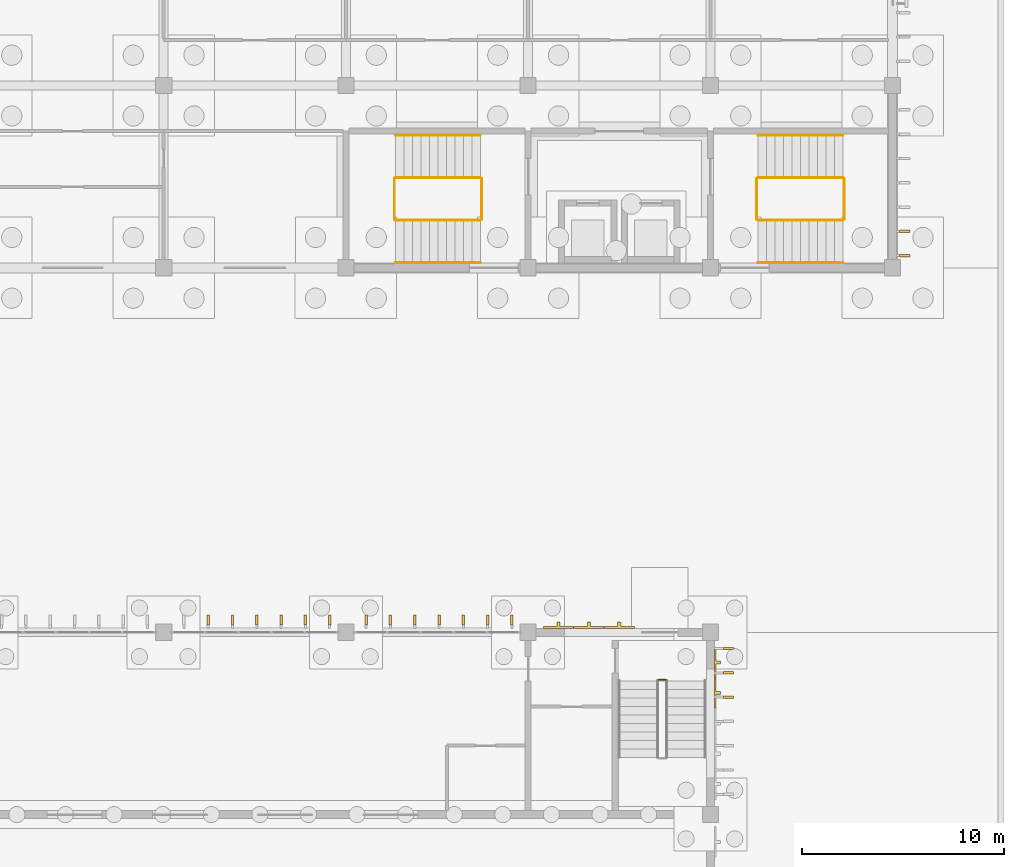
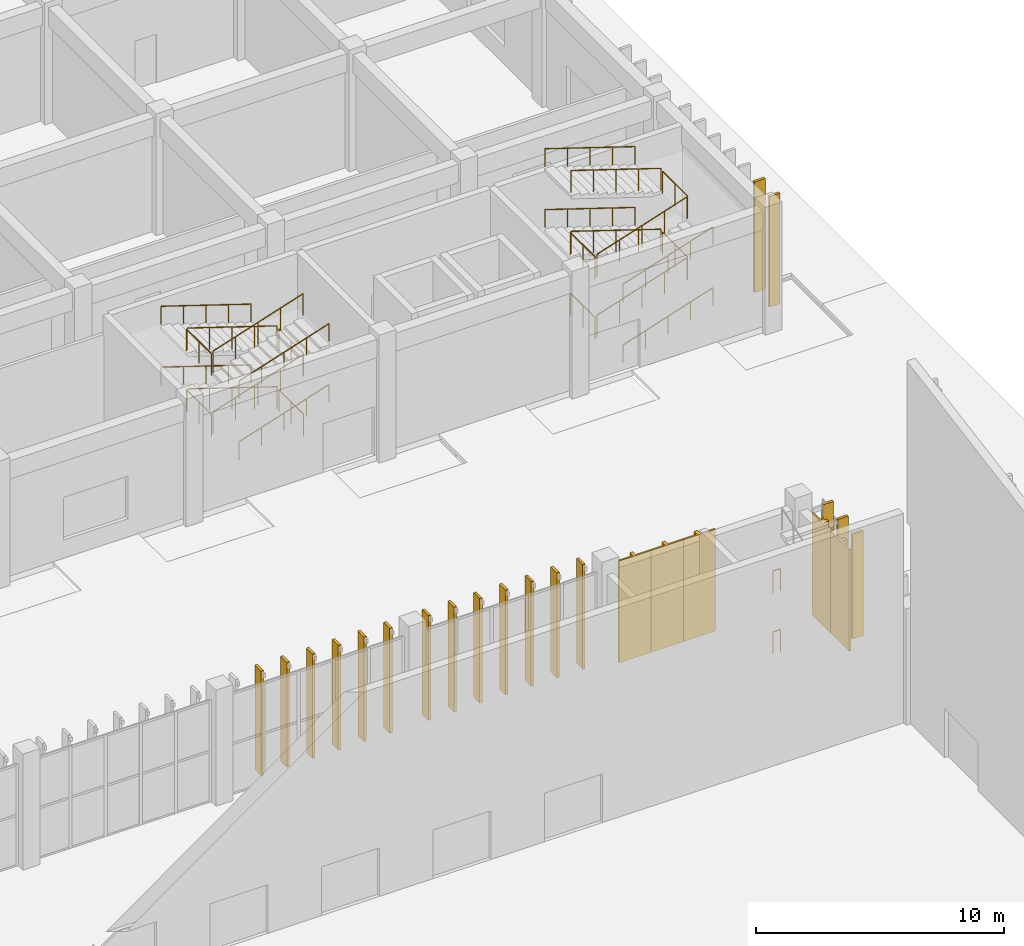
# One storey, part 188 of 198: 26 railings, 23 coverings.
"""IFC4 building model written with IfcOpenShell, lengths in metres."""

import ifcopenshell
import ifcopenshell.guid

model = None  # the IFC model being written
_history = None  # IfcOwnerHistory: only IFC2X3 demands one
_inside = {}  # id of a spatial element -> (the spatial element, [elements in it])
_under = {}  # id of a project, library or spatial element -> (it, [spatial elements below it])
_declared = {}  # id of a project -> (the project, [libraries it declares])
_typed = {}  # id of a type object -> (the type object, [elements of that type])
_made_of = {}  # id of a material, layer set ... -> (it, [elements and type objects made of it])


def new_model(schema):
    """Start an empty IFC model of exactly this schema.

    Asked for "IFC4X3", IfcOpenShell would pick the latest addendum, in which some entities
    have other attributes; the version numbers below select the first issue.
    IFC2X3 requires an IfcOwnerHistory on every rooted entity: one is made here for all.
    """
    global model, _history
    if schema == "IFC4X3":
        model = ifcopenshell.file(schema_version=(4, 3, 0, 0))
    else:
        model = ifcopenshell.file(schema=schema)
    _inside.clear()
    _under.clear()
    _declared.clear()
    _typed.clear()
    _made_of.clear()
    _history = None
    if model.schema == "IFC2X3":
        org = make("IfcOrganization", Name="unknown")
        user = make(
            "IfcPersonAndOrganization",
            ThePerson=make("IfcPerson", FamilyName="unknown"),
            TheOrganization=org,
        )
        app = make(
            "IfcApplication",
            ApplicationDeveloper=org,
            Version="unknown",
            ApplicationFullName="unknown",
            ApplicationIdentifier="unknown",
        )
        _history = make(
            "IfcOwnerHistory",
            OwningUser=user,
            OwningApplication=app,
            ChangeAction="ADDED",
            CreationDate=0,
        )
    return model


def make(cls, **values):
    """One entity of the class cls with the attributes given. An attribute that is None is left unset."""
    return model.create_entity(
        cls, **{name: value for name, value in values.items() if value is not None}
    )


def rooted(cls, **values):
    """An entity with a GlobalId (a new one), such as an element, a storey or a relation."""
    return make(cls, GlobalId=ifcopenshell.guid.new(), OwnerHistory=_history, **values)


def si_unit(unit_type, name, prefix=None):
    """IfcSIUnit, for example si_unit("LENGTHUNIT", "METRE", prefix="MILLI")."""
    return make("IfcSIUnit", UnitType=unit_type, Prefix=prefix, Name=name)


def assignment(units):
    """IfcUnitAssignment: the units of a project."""
    return None if units is None else make("IfcUnitAssignment", Units=units)


def point(xyz):
    """IfcCartesianPoint."""
    return None if xyz is None else make("IfcCartesianPoint", Coordinates=xyz)


def direction(xyz):
    """IfcDirection."""
    return None if xyz is None else make("IfcDirection", DirectionRatios=xyz)


def frame(location, z_axis=None, x_axis=None):
    """IfcAxis2Placement3D, a coordinate frame: its origin and axes. An axis left out is left unset."""
    return make(
        "IfcAxis2Placement3D",
        Location=point(location),
        Axis=direction(z_axis),
        RefDirection=direction(x_axis),
    )


def frame_2d(location, x_axis=None):
    """IfcAxis2Placement2D, a coordinate frame in the plane: its origin and x axis."""
    return make(
        "IfcAxis2Placement2D", Location=point(location), RefDirection=direction(x_axis)
    )


def origin():
    """The frame at (0, 0, 0) with its axes left unset."""
    return frame((0.0, 0.0, 0.0))


def origin_2d():
    """The frame at (0, 0) in the plane with its x axis left unset."""
    return frame_2d((0.0, 0.0))


def place(relative_to, where):
    """IfcLocalPlacement: puts the frame where relative to a parent placement (None: the world)."""
    return make(
        "IfcLocalPlacement", PlacementRelTo=relative_to, RelativePlacement=where
    )


def context(
    kind, dimensions, precision=None, world=None, true_north=None, identifier=None
):
    """IfcGeometricRepresentationContext, for example the 3D "Model" context."""
    return make(
        "IfcGeometricRepresentationContext",
        ContextIdentifier=identifier,
        ContextType=kind,
        CoordinateSpaceDimension=dimensions,
        Precision=precision,
        WorldCoordinateSystem=world,
        TrueNorth=true_north,
    )


def subcontext(parent, identifier, kind, view, scale=None):
    """IfcGeometricRepresentationSubContext, for example "Body" below "Model"."""
    return make(
        "IfcGeometricRepresentationSubContext",
        ContextIdentifier=identifier,
        ContextType=kind,
        ParentContext=parent,
        TargetScale=scale,
        TargetView=view,
    )


def project(units=None, contexts=None):
    """IfcProject with its units and contexts."""
    return rooted(
        "IfcProject",
        Name="project",
        RepresentationContexts=contexts,
        UnitsInContext=assignment(units),
    )


def spatial(cls, under=None, at=None, **own):
    """A site, building, storey or space (cls), placed at a placement, below another one or the project."""
    s = rooted(cls, ObjectPlacement=at, **own)
    if under is not None:
        _under.setdefault(under.id(), (under, []))[1].append(s)
    return s


def polyline(points):
    """IfcPolyline through the points."""
    return make("IfcPolyline", Points=[point(p) for p in points])


def profile(cls, at=None, kind="AREA", **sizes):
    """A parametric profile (cls). Its sizes go by their IFC names, for example OverallWidth=200.0."""
    return make(cls, ProfileType=kind, Position=at, **sizes)


def rectangle(**sizes):
    """IfcRectangleProfileDef."""
    return profile("IfcRectangleProfileDef", **sizes)


def circle(**sizes):
    """IfcCircleProfileDef."""
    return profile("IfcCircleProfileDef", **sizes)


def outline(outer, holes=None, kind="AREA"):
    """IfcArbitraryClosedProfileDef: a profile drawn as a closed curve; with holes, ...WithVoids."""
    if holes is None:
        return make("IfcArbitraryClosedProfileDef", ProfileType=kind, OuterCurve=outer)
    return make(
        "IfcArbitraryProfileDefWithVoids",
        ProfileType=kind,
        OuterCurve=outer,
        InnerCurves=holes,
    )


def extrude(swept, where, along, depth):
    """IfcExtrudedAreaSolid: the profile swept, set in the frame where, extruded along a direction by depth."""
    return make(
        "IfcExtrudedAreaSolid",
        SweptArea=swept,
        Position=where,
        ExtrudedDirection=direction(along),
        Depth=depth,
    )


def shape(context_of_items, identifier, shape_type, items):
    """IfcShapeRepresentation: the items that make up one representation, for example the "Body"."""
    return make(
        "IfcShapeRepresentation",
        ContextOfItems=context_of_items,
        RepresentationIdentifier=identifier,
        RepresentationType=shape_type,
        Items=items,
    )


def material(Name=None, Category=None):
    """IfcMaterial."""
    return make("IfcMaterial", Name=Name, Category=Category)


def layer(
    of_material, thickness, ventilated=None, Name=None, Category=None, Priority=None
):
    """IfcMaterialLayer: one layer of a wall or slab, of a material (None: an air gap)."""
    return make(
        "IfcMaterialLayer",
        Material=of_material,
        LayerThickness=thickness,
        IsVentilated=ventilated,
        Name=Name,
        Category=Category,
        Priority=Priority,
    )


def layer_set(layers, Name=None):
    """IfcMaterialLayerSet."""
    return make("IfcMaterialLayerSet", MaterialLayers=layers, LayerSetName=Name)


def constituent(of_material, Name=None, Category=None, fraction=None):
    """IfcMaterialConstituent: one of the materials an element consists of."""
    return make(
        "IfcMaterialConstituent",
        Name=Name,
        Material=of_material,
        Fraction=fraction,
        Category=Category,
    )


def constituent_set(constituents=None, Name=None):
    """IfcMaterialConstituentSet."""
    return make(
        "IfcMaterialConstituentSet", Name=Name, MaterialConstituents=constituents
    )


def made_of(thing, what):
    """Note that an element or type object is made of a material, layer set ...; save() writes the relation."""
    if what is not None:
        _made_of.setdefault(what.id(), (what, []))[1].append(thing)
    return thing


def type_object(cls, material=None, **own):
    """A type object (cls), such as IfcWallType, which elements share."""
    return made_of(rooted(cls, **own), material)


def element(
    cls,
    number,
    at=None,
    inside=None,
    cuts=None,
    type_object=None,
    material=None,
    context=None,
    identifier="Body",
    shape_type=None,
    held_by="IfcProductDefinitionShape",
    body=None,
    shapes=None,
    **own,
):
    """One element of the class cls, such as IfcWall. Its Tag is "e" and its number.

    at: its placement. inside: the storey or other place that contains it. cuts: it is an
    opening in that element (IfcRelVoidsElement). A single representation is given by context,
    identifier, shape_type and body (its items); several are given by shapes. held_by: the class
    of the entity that holds the representations. save() writes the other relations.
    """
    e = rooted(cls, Tag="e%d" % number, ObjectPlacement=at, **own)
    if body is not None:
        shapes = [shape(context, identifier, shape_type, body)]
    if shapes is not None:
        e.Representation = make(held_by, Representations=shapes)
    if inside is not None:
        _inside.setdefault(inside.id(), (inside, []))[1].append(e)
    if cuts is not None:
        rooted(
            "IfcRelVoidsElement", RelatingBuildingElement=cuts, RelatedOpeningElement=e
        )
    if type_object is not None:
        _typed.setdefault(type_object.id(), (type_object, []))[1].append(e)
    return made_of(e, material)


def aggregate(whole, parts):
    """IfcRelAggregates: a whole, such as a stair, and the parts it consists of."""
    return rooted("IfcRelAggregates", RelatingObject=whole, RelatedObjects=parts)


def save(model, path):
    """Write the relations noted so far, then the file.

    IfcRelAggregates (storeys below a building ...), IfcRelContainedInSpatialStructure (elements
    in a storey), IfcRelDefinesByType, IfcRelAssociatesMaterial and IfcRelDeclares: one each for
    every whole, place, type object, material and project.
    """
    for whole, parts in _under.values():
        aggregate(whole, parts)
    for where, things in _inside.values():
        rooted(
            "IfcRelContainedInSpatialStructure",
            RelatedElements=things,
            RelatingStructure=where,
        )
    for kind, things in _typed.values():
        rooted("IfcRelDefinesByType", RelatedObjects=things, RelatingType=kind)
    for what, things in _made_of.values():
        rooted("IfcRelAssociatesMaterial", RelatedObjects=things, RelatingMaterial=what)
    for by, libraries in _declared.values():
        rooted("IfcRelDeclares", RelatingContext=by, RelatedDefinitions=libraries)
    model.write(path)


model = new_model("IFC4")

# Units and contexts
model_context = context("Model", 3, precision=1e-05, world=origin(), true_north=direction((0.0, 1.0)))
body_context = subcontext(model_context, "Body", "Model", "MODEL_VIEW")
ifc_project = project(units=[si_unit("LENGTHUNIT", "METRE"), si_unit("AREAUNIT", "SQUARE_METRE"), si_unit("VOLUMEUNIT", "CUBIC_METRE"), si_unit("PLANEANGLEUNIT", "RADIAN"), si_unit("MASSUNIT", "GRAM", prefix="KILO")], contexts=[model_context])

# Site, building, storey
site_placement = place(None, origin())
site = spatial("IfcSite", under=ifc_project, at=site_placement, CompositionType="ELEMENT")
building_placement = place(site_placement, origin())
building = spatial("IfcBuilding", under=site, at=building_placement, Name="Opaline Strait Convention Centre", CompositionType="ELEMENT")
storey_placement = place(building_placement, origin())
storey = spatial("IfcBuildingStorey", under=building, at=storey_placement, Name="L00", CompositionType="ELEMENT", Elevation=0.0)

# Railings
ifc_material_1 = material(Name="Steel Q235B", Category="steel")
ifc_constituent_1 = constituent(ifc_material_1, Name="Frame")
ifc_material_2 = material(Name="Safety glass, bonded interlayer", Category="glass")
ifc_constituent_2 = constituent(ifc_material_2, Name="Infill")
ifc_constituent_set = constituent_set(constituents=[ifc_constituent_1, ifc_constituent_2], Name="Steel Q235B, Safety glass, bonded interlayer")
railing_type_1 = type_object("IfcRailingType", Name="Guard 1100 steel and glass", PredefinedType="GUARDRAIL", material=ifc_constituent_set)
for number, where, name in (
    (1, (348.449951171875, 69.64990234375, 3.0), "L00 B-STNE stair guard 4"),
    (2, (348.449951171875, 69.64990234375, 0.0), "L00 B-STNE stair guard 8"),
):
    element("IfcRailing", number, at=place(storey_placement, frame(where)), inside=storey, type_object=railing_type_1, Name=name, PredefinedType="GUARDRAIL", context=body_context, shape_type="SweptSolid", body=[
        extrude(circle(Radius=0.02392578125, at=origin_2d()), frame((0.0, 0.0, 1.076171875), z_axis=(1.0, 0.0, 0.0), x_axis=(0.0, 1.0, 0.0)), (0.0, 0.0, 1.0), 0.35009765625),
        extrude(circle(Radius=0.02099609375, at=origin_2d()), origin(), (0.0, 0.0, 1.0), 1.052001953125),
        extrude(circle(Radius=0.02099609375, at=origin_2d()), frame((0.35009765625, 0.0, 0.0)), (0.0, 0.0, 1.0), 1.052001953125),
    ])
railing_1_placement = place(storey_placement, frame((353.349853515625, 92.349853515625, 0.136474609375)))
element("IfcRailing", 3, at=railing_1_placement, inside=storey, type_object=railing_type_1, Name="L00 S3 stair guard 1", PredefinedType="GUARDRAIL", context=body_context, shape_type="SweptSolid", body=[
    extrude(circle(Radius=0.02392578125, at=origin_2d()), frame((0.0, 0.0, 1.076171875), z_axis=(0.951131128591, 0.0, 0.308787266941), x_axis=(0.0, 1.0, 0.0)), (0.0, 0.0, 1.0), 4.415771484375),
    extrude(circle(Radius=0.02099609375, at=origin_2d()), origin(), (0.0, 0.0, 1.0), 1.052001953125),
    extrude(circle(Radius=0.02099609375, at=origin_2d()), frame((1.050048828125, 0.0, 0.3408203125)), (0.0, 0.0, 1.0), 1.052001953125),
    extrude(circle(Radius=0.02099609375, at=origin_2d()), frame((2.10009765625, 0.0, 0.681640625)), (0.0, 0.0, 1.0), 1.052001953125),
    extrude(circle(Radius=0.02099609375, at=origin_2d()), frame((3.14990234375, 0.0, 1.022705078125)), (0.0, 0.0, 1.0), 1.052001953125),
    extrude(circle(Radius=0.02099609375, at=origin_2d()), frame((4.199951171875, 0.0, 1.363525390625)), (0.0, 0.0, 1.0), 1.052001953125),
])
railing_2_placement = place(storey_placement, frame((357.599853515625, 92.39990234375, 1.5)))
element("IfcRailing", 4, at=railing_2_placement, inside=storey, type_object=railing_type_1, Name="L00 S3 stair guard 2", PredefinedType="GUARDRAIL", context=body_context, shape_type="SweptSolid", body=[
    extrude(circle(Radius=0.02392578125, at=origin_2d()), frame((0.0, 0.0, 1.076171875), z_axis=(0.0, 1.0, 0.0), x_axis=(-1.0, 0.0, 0.0)), (0.0, 0.0, 1.0), 2.0),
    extrude(circle(Radius=0.02099609375, at=origin_2d()), origin(), (0.0, 0.0, 1.0), 1.052001953125),
    extrude(circle(Radius=0.02099609375, at=origin_2d()), frame((0.0, 1.0, 0.0)), (0.0, 0.0, 1.0), 1.052001953125),
    extrude(circle(Radius=0.02099609375, at=origin_2d()), frame((0.0, 2.0, 0.0)), (0.0, 0.0, 1.0), 1.052001953125),
])
railing_3_placement = place(storey_placement, frame((357.5498046875, 94.449951171875, 1.636474609375)))
element("IfcRailing", 5, at=railing_3_placement, inside=storey, type_object=railing_type_1, Name="L00 S3 stair guard 3", PredefinedType="GUARDRAIL", context=body_context, shape_type="SweptSolid", body=[
    extrude(circle(Radius=0.02392578125, at=origin_2d()), frame((0.0, 0.0, 1.076171875), z_axis=(-0.951131128591, 0.0, 0.308787266941), x_axis=(0.0, -1.0, 0.0)), (0.0, 0.0, 1.0), 4.415771484375),
    extrude(circle(Radius=0.02099609375, at=origin_2d()), origin(), (0.0, 0.0, 1.0), 1.052001953125),
    extrude(circle(Radius=0.02099609375, at=origin_2d()), frame((-1.050048828125, 0.0, 0.3408203125)), (0.0, 0.0, 1.0), 1.052001953125),
    extrude(circle(Radius=0.02099609375, at=origin_2d()), frame((-2.10009765625, 0.0, 0.681640625)), (0.0, 0.0, 1.0), 1.052001953125),
    extrude(circle(Radius=0.02099609375, at=origin_2d()), frame((-3.14990234375, 0.0, 1.022705078125)), (0.0, 0.0, 1.0), 1.052001953125),
    extrude(circle(Radius=0.02099609375, at=origin_2d()), frame((-4.199951171875, 0.0, 1.363525390625)), (0.0, 0.0, 1.0), 1.052001953125),
])
railing_4_placement = place(storey_placement, frame((353.2998046875, 92.39990234375, 3.0)))
element("IfcRailing", 6, at=railing_4_placement, inside=storey, type_object=railing_type_1, Name="L00 S3 stair guard 4", PredefinedType="GUARDRAIL", context=body_context, shape_type="SweptSolid", body=[
    extrude(circle(Radius=0.02392578125, at=origin_2d()), frame((0.0, 0.0, 1.076171875), z_axis=(0.0, 1.0, 0.0), x_axis=(-1.0, 0.0, 0.0)), (0.0, 0.0, 1.0), 2.0),
    extrude(circle(Radius=0.02099609375, at=origin_2d()), origin(), (0.0, 0.0, 1.0), 1.052001953125),
    extrude(circle(Radius=0.02099609375, at=origin_2d()), frame((0.0, 1.0, 0.0)), (0.0, 0.0, 1.0), 1.052001953125),
    extrude(circle(Radius=0.02099609375, at=origin_2d()), frame((0.0, 2.0, 0.0)), (0.0, 0.0, 1.0), 1.052001953125),
])
railing_5_placement = place(storey_placement, frame((353.349853515625, 92.349853515625, 3.136474609375)))
element("IfcRailing", 7, at=railing_5_placement, inside=storey, type_object=railing_type_1, Name="L00 S3 stair guard 5", PredefinedType="GUARDRAIL", context=body_context, shape_type="SweptSolid", body=[
    extrude(circle(Radius=0.02392578125, at=origin_2d()), frame((0.0, 0.0, 1.076171875), z_axis=(0.951131128591, 0.0, 0.308787266941), x_axis=(0.0, 1.0, 0.0)), (0.0, 0.0, 1.0), 4.415771484375),
    extrude(circle(Radius=0.02099609375, at=origin_2d()), origin(), (0.0, 0.0, 1.0), 1.052001953125),
    extrude(circle(Radius=0.02099609375, at=origin_2d()), frame((1.050048828125, 0.0, 0.3408203125)), (0.0, 0.0, 1.0), 1.052001953125),
    extrude(circle(Radius=0.02099609375, at=origin_2d()), frame((2.10009765625, 0.0, 0.681640625)), (0.0, 0.0, 1.0), 1.052001953125),
    extrude(circle(Radius=0.02099609375, at=origin_2d()), frame((3.14990234375, 0.0, 1.022705078125)), (0.0, 0.0, 1.0), 1.052001953125),
    extrude(circle(Radius=0.02099609375, at=origin_2d()), frame((4.199951171875, 0.0, 1.363525390625)), (0.0, 0.0, 1.0), 1.052001953125),
])
railing_6_placement = place(storey_placement, frame((357.599853515625, 92.39990234375, 4.5)))
element("IfcRailing", 8, at=railing_6_placement, inside=storey, type_object=railing_type_1, Name="L00 S3 stair guard 6", PredefinedType="GUARDRAIL", context=body_context, shape_type="SweptSolid", body=[
    extrude(circle(Radius=0.02392578125, at=origin_2d()), frame((0.0, 0.0, 1.076171875), z_axis=(0.0, 1.0, 0.0), x_axis=(-1.0, 0.0, 0.0)), (0.0, 0.0, 1.0), 2.0),
    extrude(circle(Radius=0.02099609375, at=origin_2d()), origin(), (0.0, 0.0, 1.0), 1.052001953125),
    extrude(circle(Radius=0.02099609375, at=origin_2d()), frame((0.0, 1.0, 0.0)), (0.0, 0.0, 1.0), 1.052001953125),
    extrude(circle(Radius=0.02099609375, at=origin_2d()), frame((0.0, 2.0, 0.0)), (0.0, 0.0, 1.0), 1.052001953125),
])
railing_7_placement = place(storey_placement, frame((357.5498046875, 94.449951171875, 4.636474609375)))
element("IfcRailing", 9, at=railing_7_placement, inside=storey, type_object=railing_type_1, Name="L00 S3 stair guard 7", PredefinedType="GUARDRAIL", context=body_context, shape_type="SweptSolid", body=[
    extrude(circle(Radius=0.02392578125, at=origin_2d()), frame((0.0, 0.0, 1.076171875), z_axis=(-0.951131128591, 0.0, 0.308787266941), x_axis=(0.0, -1.0, 0.0)), (0.0, 0.0, 1.0), 4.415771484375),
    extrude(circle(Radius=0.02099609375, at=origin_2d()), origin(), (0.0, 0.0, 1.0), 1.052001953125),
    extrude(circle(Radius=0.02099609375, at=origin_2d()), frame((-1.050048828125, 0.0, 0.3408203125)), (0.0, 0.0, 1.0), 1.052001953125),
    extrude(circle(Radius=0.02099609375, at=origin_2d()), frame((-2.10009765625, 0.0, 0.681640625)), (0.0, 0.0, 1.0), 1.052001953125),
    extrude(circle(Radius=0.02099609375, at=origin_2d()), frame((-3.14990234375, 0.0, 1.022705078125)), (0.0, 0.0, 1.0), 1.052001953125),
    extrude(circle(Radius=0.02099609375, at=origin_2d()), frame((-4.199951171875, 0.0, 1.363525390625)), (0.0, 0.0, 1.0), 1.052001953125),
])
railing_8_placement = place(storey_placement, frame((353.2998046875, 92.39990234375, 0.0)))
element("IfcRailing", 10, at=railing_8_placement, inside=storey, type_object=railing_type_1, Name="L00 S3 stair guard 8", PredefinedType="GUARDRAIL", context=body_context, shape_type="SweptSolid", body=[
    extrude(circle(Radius=0.02392578125, at=origin_2d()), frame((0.0, 0.0, 1.076171875), z_axis=(0.0, 1.0, 0.0), x_axis=(-1.0, 0.0, 0.0)), (0.0, 0.0, 1.0), 2.0),
    extrude(circle(Radius=0.02099609375, at=origin_2d()), origin(), (0.0, 0.0, 1.0), 1.052001953125),
    extrude(circle(Radius=0.02099609375, at=origin_2d()), frame((0.0, 1.0, 0.0)), (0.0, 0.0, 1.0), 1.052001953125),
    extrude(circle(Radius=0.02099609375, at=origin_2d()), frame((0.0, 2.0, 0.0)), (0.0, 0.0, 1.0), 1.052001953125),
])
railing_9_placement = place(storey_placement, frame((339.650146484375, 94.4501953125, 0.136474609375)))
element("IfcRailing", 11, at=railing_9_placement, inside=storey, type_object=railing_type_1, Name="L00 S4 stair guard 1", PredefinedType="GUARDRAIL", context=body_context, shape_type="SweptSolid", body=[
    extrude(circle(Radius=0.02392578125, at=origin_2d()), frame((0.0, 0.0, 1.076171875), z_axis=(-0.951131128591, 0.0, 0.308787266941), x_axis=(0.0, -1.0, 0.0)), (0.0, 0.0, 1.0), 4.415771484375),
    extrude(circle(Radius=0.02099609375, at=origin_2d()), origin(), (0.0, 0.0, 1.0), 1.052001953125),
    extrude(circle(Radius=0.02099609375, at=origin_2d()), frame((-1.050048828125, 0.0, 0.3408203125)), (0.0, 0.0, 1.0), 1.052001953125),
    extrude(circle(Radius=0.02099609375, at=origin_2d()), frame((-2.10009765625, 0.0, 0.681640625)), (0.0, 0.0, 1.0), 1.052001953125),
    extrude(circle(Radius=0.02099609375, at=origin_2d()), frame((-3.14990234375, 0.0, 1.022705078125)), (0.0, 0.0, 1.0), 1.052001953125),
    extrude(circle(Radius=0.02099609375, at=origin_2d()), frame((-4.199951171875, 0.0, 1.363525390625)), (0.0, 0.0, 1.0), 1.052001953125),
])
railing_10_placement = place(storey_placement, frame((335.400146484375, 94.400146484375, 1.5)))
element("IfcRailing", 12, at=railing_10_placement, inside=storey, type_object=railing_type_1, Name="L00 S4 stair guard 2", PredefinedType="GUARDRAIL", context=body_context, shape_type="SweptSolid", body=[
    extrude(circle(Radius=0.02392578125, at=origin_2d()), frame((0.0, 0.0, 1.076171875), z_axis=(0.0, -1.0, 0.0), x_axis=(1.0, 0.0, 0.0)), (0.0, 0.0, 1.0), 2.0),
    extrude(circle(Radius=0.02099609375, at=origin_2d()), origin(), (0.0, 0.0, 1.0), 1.052001953125),
    extrude(circle(Radius=0.02099609375, at=origin_2d()), frame((0.0, -1.0, 0.0)), (0.0, 0.0, 1.0), 1.052001953125),
    extrude(circle(Radius=0.02099609375, at=origin_2d()), frame((0.0, -2.0, 0.0)), (0.0, 0.0, 1.0), 1.052001953125),
])
railing_11_placement = place(storey_placement, frame((335.4501953125, 92.35009765625, 1.636474609375)))
element("IfcRailing", 13, at=railing_11_placement, inside=storey, type_object=railing_type_1, Name="L00 S4 stair guard 3", PredefinedType="GUARDRAIL", context=body_context, shape_type="SweptSolid", body=[
    extrude(circle(Radius=0.02392578125, at=origin_2d()), frame((0.0, 0.0, 1.076171875), z_axis=(0.951131128591, 0.0, 0.308787266941), x_axis=(0.0, 1.0, 0.0)), (0.0, 0.0, 1.0), 4.415771484375),
    extrude(circle(Radius=0.02099609375, at=origin_2d()), origin(), (0.0, 0.0, 1.0), 1.052001953125),
    extrude(circle(Radius=0.02099609375, at=origin_2d()), frame((1.050048828125, 0.0, 0.3408203125)), (0.0, 0.0, 1.0), 1.052001953125),
    extrude(circle(Radius=0.02099609375, at=origin_2d()), frame((2.10009765625, 0.0, 0.681640625)), (0.0, 0.0, 1.0), 1.052001953125),
    extrude(circle(Radius=0.02099609375, at=origin_2d()), frame((3.14990234375, 0.0, 1.022705078125)), (0.0, 0.0, 1.0), 1.052001953125),
    extrude(circle(Radius=0.02099609375, at=origin_2d()), frame((4.199951171875, 0.0, 1.363525390625)), (0.0, 0.0, 1.0), 1.052001953125),
])
railing_12_placement = place(storey_placement, frame((339.7001953125, 94.400146484375, 3.0)))
element("IfcRailing", 14, at=railing_12_placement, inside=storey, type_object=railing_type_1, Name="L00 S4 stair guard 4", PredefinedType="GUARDRAIL", context=body_context, shape_type="SweptSolid", body=[
    extrude(circle(Radius=0.02392578125, at=origin_2d()), frame((0.0, 0.0, 1.076171875), z_axis=(0.0, -1.0, 0.0), x_axis=(1.0, 0.0, 0.0)), (0.0, 0.0, 1.0), 2.0),
    extrude(circle(Radius=0.02099609375, at=origin_2d()), origin(), (0.0, 0.0, 1.0), 1.052001953125),
    extrude(circle(Radius=0.02099609375, at=origin_2d()), frame((0.0, -1.0, 0.0)), (0.0, 0.0, 1.0), 1.052001953125),
    extrude(circle(Radius=0.02099609375, at=origin_2d()), frame((0.0, -2.0, 0.0)), (0.0, 0.0, 1.0), 1.052001953125),
])
railing_13_placement = place(storey_placement, frame((339.650146484375, 94.4501953125, 3.136474609375)))
element("IfcRailing", 15, at=railing_13_placement, inside=storey, type_object=railing_type_1, Name="L00 S4 stair guard 5", PredefinedType="GUARDRAIL", context=body_context, shape_type="SweptSolid", body=[
    extrude(circle(Radius=0.02392578125, at=origin_2d()), frame((0.0, 0.0, 1.076171875), z_axis=(-0.951131128591, 0.0, 0.308787266941), x_axis=(0.0, -1.0, 0.0)), (0.0, 0.0, 1.0), 4.415771484375),
    extrude(circle(Radius=0.02099609375, at=origin_2d()), origin(), (0.0, 0.0, 1.0), 1.052001953125),
    extrude(circle(Radius=0.02099609375, at=origin_2d()), frame((-1.050048828125, 0.0, 0.3408203125)), (0.0, 0.0, 1.0), 1.052001953125),
    extrude(circle(Radius=0.02099609375, at=origin_2d()), frame((-2.10009765625, 0.0, 0.681640625)), (0.0, 0.0, 1.0), 1.052001953125),
    extrude(circle(Radius=0.02099609375, at=origin_2d()), frame((-3.14990234375, 0.0, 1.022705078125)), (0.0, 0.0, 1.0), 1.052001953125),
    extrude(circle(Radius=0.02099609375, at=origin_2d()), frame((-4.199951171875, 0.0, 1.363525390625)), (0.0, 0.0, 1.0), 1.052001953125),
])
railing_14_placement = place(storey_placement, frame((335.400146484375, 94.400146484375, 4.5)))
element("IfcRailing", 16, at=railing_14_placement, inside=storey, type_object=railing_type_1, Name="L00 S4 stair guard 6", PredefinedType="GUARDRAIL", context=body_context, shape_type="SweptSolid", body=[
    extrude(circle(Radius=0.02392578125, at=origin_2d()), frame((0.0, 0.0, 1.076171875), z_axis=(0.0, -1.0, 0.0), x_axis=(1.0, 0.0, 0.0)), (0.0, 0.0, 1.0), 2.0),
    extrude(circle(Radius=0.02099609375, at=origin_2d()), origin(), (0.0, 0.0, 1.0), 1.052001953125),
    extrude(circle(Radius=0.02099609375, at=origin_2d()), frame((0.0, -1.0, 0.0)), (0.0, 0.0, 1.0), 1.052001953125),
    extrude(circle(Radius=0.02099609375, at=origin_2d()), frame((0.0, -2.0, 0.0)), (0.0, 0.0, 1.0), 1.052001953125),
])
railing_15_placement = place(storey_placement, frame((335.4501953125, 92.35009765625, 4.636474609375)))
element("IfcRailing", 17, at=railing_15_placement, inside=storey, type_object=railing_type_1, Name="L00 S4 stair guard 7", PredefinedType="GUARDRAIL", context=body_context, shape_type="SweptSolid", body=[
    extrude(circle(Radius=0.02392578125, at=origin_2d()), frame((0.0, 0.0, 1.076171875), z_axis=(0.951131128591, 0.0, 0.308787266941), x_axis=(0.0, 1.0, 0.0)), (0.0, 0.0, 1.0), 4.415771484375),
    extrude(circle(Radius=0.02099609375, at=origin_2d()), origin(), (0.0, 0.0, 1.0), 1.052001953125),
    extrude(circle(Radius=0.02099609375, at=origin_2d()), frame((1.050048828125, 0.0, 0.3408203125)), (0.0, 0.0, 1.0), 1.052001953125),
    extrude(circle(Radius=0.02099609375, at=origin_2d()), frame((2.10009765625, 0.0, 0.681640625)), (0.0, 0.0, 1.0), 1.052001953125),
    extrude(circle(Radius=0.02099609375, at=origin_2d()), frame((3.14990234375, 0.0, 1.022705078125)), (0.0, 0.0, 1.0), 1.052001953125),
    extrude(circle(Radius=0.02099609375, at=origin_2d()), frame((4.199951171875, 0.0, 1.363525390625)), (0.0, 0.0, 1.0), 1.052001953125),
])
railing_16_placement = place(storey_placement, frame((339.7001953125, 94.400146484375, 0.0)))
element("IfcRailing", 18, at=railing_16_placement, inside=storey, type_object=railing_type_1, Name="L00 S4 stair guard 8", PredefinedType="GUARDRAIL", context=body_context, shape_type="SweptSolid", body=[
    extrude(circle(Radius=0.02392578125, at=origin_2d()), frame((0.0, 0.0, 1.076171875), z_axis=(0.0, -1.0, 0.0), x_axis=(1.0, 0.0, 0.0)), (0.0, 0.0, 1.0), 2.0),
    extrude(circle(Radius=0.02099609375, at=origin_2d()), origin(), (0.0, 0.0, 1.0), 1.052001953125),
    extrude(circle(Radius=0.02099609375, at=origin_2d()), frame((0.0, -1.0, 0.0)), (0.0, 0.0, 1.0), 1.052001953125),
    extrude(circle(Radius=0.02099609375, at=origin_2d()), frame((0.0, -2.0, 0.0)), (0.0, 0.0, 1.0), 1.052001953125),
])

# Coverings
ifc_material_3 = material(Name="Concrete C40 precast white", Category="concrete")
ifc_layer_1 = layer(ifc_material_3, 0.300048828125)
ifc_layer_set_1 = layer_set([ifc_layer_1], Name="Concrete C40 precast white")
covering_type_1 = type_object("IfcCoveringType", Name="Ribbed precast panel white 1500", PredefinedType="CLADDING", material=ifc_layer_set_1)
covering_1_placement = place(storey_placement, origin())
element("IfcCovering", 19, at=covering_1_placement, inside=storey, type_object=covering_type_1, Name="Ribbed panel L00-E63 4", PredefinedType="CLADDING", context=body_context, shape_type="SweptSolid", body=[
    extrude(outline(polyline([(351.199951171875, 68.25), (351.199951171875, 69.75), (351.280029296875, 69.75), (351.280029296875, 69.074951171875), (351.5, 69.074951171875), (351.5, 68.925048828125), (351.280029296875, 68.925048828125), (351.280029296875, 68.25), (351.199951171875, 68.25)])), origin(), (0.0, 0.0, 1.0), 5.02001953125),
])
covering_2_placement = place(storey_placement, origin())
element("IfcCovering", 20, at=covering_2_placement, inside=storey, type_object=covering_type_1, Name="Ribbed panel L00-E63 5", PredefinedType="CLADDING", context=body_context, shape_type="SweptSolid", body=[
    extrude(outline(polyline([(351.199951171875, 69.75), (351.199951171875, 71.25), (351.280029296875, 71.25), (351.280029296875, 70.574951171875), (351.5, 70.574951171875), (351.5, 70.425048828125), (351.280029296875, 70.425048828125), (351.280029296875, 69.75), (351.199951171875, 69.75)])), origin(), (0.0, 0.0, 1.0), 5.02001953125),
])
covering_3_placement = place(storey_placement, origin())
element("IfcCovering", 21, at=covering_3_placement, inside=storey, type_object=covering_type_1, Name="Ribbed panel L00-N6 1", PredefinedType="CLADDING", context=body_context, shape_type="SweptSolid", body=[
    extrude(outline(polyline([(342.75, 72.199951171875), (344.25, 72.199951171875), (344.25, 72.280029296875), (343.574951171875, 72.280029296875), (343.574951171875, 72.5), (343.425048828125, 72.5), (343.425048828125, 72.280029296875), (342.75, 72.280029296875), (342.75, 72.199951171875)])), origin(), (0.0, 0.0, 1.0), 5.02001953125),
])
covering_4_placement = place(storey_placement, origin())
element("IfcCovering", 22, at=covering_4_placement, inside=storey, type_object=covering_type_1, Name="Ribbed panel L00-N6 2", PredefinedType="CLADDING", context=body_context, shape_type="SweptSolid", body=[
    extrude(outline(polyline([(344.25, 72.199951171875), (345.75, 72.199951171875), (345.75, 72.280029296875), (345.074951171875, 72.280029296875), (345.074951171875, 72.5), (344.925048828125, 72.5), (344.925048828125, 72.280029296875), (344.25, 72.280029296875), (344.25, 72.199951171875)])), origin(), (0.0, 0.0, 1.0), 5.02001953125),
])
covering_5_placement = place(storey_placement, origin())
element("IfcCovering", 23, at=covering_5_placement, inside=storey, type_object=covering_type_1, Name="Ribbed panel L00-N6 3", PredefinedType="CLADDING", context=body_context, shape_type="SweptSolid", body=[
    extrude(outline(polyline([(345.75, 72.199951171875), (347.25, 72.199951171875), (347.25, 72.280029296875), (346.574951171875, 72.280029296875), (346.574951171875, 72.5), (346.425048828125, 72.5), (346.425048828125, 72.280029296875), (345.75, 72.280029296875), (345.75, 72.199951171875)])), origin(), (0.0, 0.0, 1.0), 5.02001953125),
])

# Railings
ifc_material_4 = material(Name="Stainless steel 304", Category="steel")
railing_type_2 = type_object("IfcRailingType", Name="Stair handrail 900 stainless steel", PredefinedType="HANDRAIL", material=ifc_material_4)
railing_17_placement = place(storey_placement, frame((353.349853515625, 90.25, 0.136474609375)))
element("IfcRailing", 24, at=railing_17_placement, inside=storey, type_object=railing_type_2, Name="L00 S3 stair handrail 1", PredefinedType="HANDRAIL", context=body_context, shape_type="SweptSolid", body=[
    extrude(circle(Radius=0.02392578125, at=origin_2d()), frame((0.0, 0.0, 0.8759765625), z_axis=(0.951131128591, 0.0, 0.308787266941), x_axis=(0.0, 1.0, 0.0)), (0.0, 0.0, 1.0), 4.415771484375),
    extrude(circle(Radius=0.02099609375, at=origin_2d()), origin(), (0.0, 0.0, 1.0), 0.851806640625),
    extrude(circle(Radius=0.02099609375, at=origin_2d()), frame((1.050048828125, 0.0, 0.3408203125)), (0.0, 0.0, 1.0), 0.851806640625),
    extrude(circle(Radius=0.02099609375, at=origin_2d()), frame((2.10009765625, 0.0, 0.681640625)), (0.0, 0.0, 1.0), 0.851806640625),
    extrude(circle(Radius=0.02099609375, at=origin_2d()), frame((3.14990234375, 0.0, 1.022705078125)), (0.0, 0.0, 1.0), 0.851806640625),
    extrude(circle(Radius=0.02099609375, at=origin_2d()), frame((4.199951171875, 0.0, 1.363525390625)), (0.0, 0.0, 1.0), 0.851806640625),
])
railing_18_placement = place(storey_placement, frame((357.5498046875, 96.550048828125, 1.636474609375)))
element("IfcRailing", 25, at=railing_18_placement, inside=storey, type_object=railing_type_2, Name="L00 S3 stair handrail 2", PredefinedType="HANDRAIL", context=body_context, shape_type="SweptSolid", body=[
    extrude(circle(Radius=0.02392578125, at=origin_2d()), frame((0.0, 0.0, 0.8759765625), z_axis=(-0.951131128591, 0.0, 0.308787266941), x_axis=(0.0, -1.0, 0.0)), (0.0, 0.0, 1.0), 4.415771484375),
    extrude(circle(Radius=0.02099609375, at=origin_2d()), origin(), (0.0, 0.0, 1.0), 0.851806640625),
    extrude(circle(Radius=0.02099609375, at=origin_2d()), frame((-1.050048828125, 0.0, 0.3408203125)), (0.0, 0.0, 1.0), 0.851806640625),
    extrude(circle(Radius=0.02099609375, at=origin_2d()), frame((-2.10009765625, 0.0, 0.681640625)), (0.0, 0.0, 1.0), 0.851806640625),
    extrude(circle(Radius=0.02099609375, at=origin_2d()), frame((-3.14990234375, 0.0, 1.022705078125)), (0.0, 0.0, 1.0), 0.851806640625),
    extrude(circle(Radius=0.02099609375, at=origin_2d()), frame((-4.199951171875, 0.0, 1.363525390625)), (0.0, 0.0, 1.0), 0.851806640625),
])
railing_19_placement = place(storey_placement, frame((353.349853515625, 90.25, 3.136474609375)))
element("IfcRailing", 26, at=railing_19_placement, inside=storey, type_object=railing_type_2, Name="L00 S3 stair handrail 3", PredefinedType="HANDRAIL", context=body_context, shape_type="SweptSolid", body=[
    extrude(circle(Radius=0.02392578125, at=origin_2d()), frame((0.0, 0.0, 0.8759765625), z_axis=(0.951131128591, 0.0, 0.308787266941), x_axis=(0.0, 1.0, 0.0)), (0.0, 0.0, 1.0), 4.415771484375),
    extrude(circle(Radius=0.02099609375, at=origin_2d()), origin(), (0.0, 0.0, 1.0), 0.851806640625),
    extrude(circle(Radius=0.02099609375, at=origin_2d()), frame((1.050048828125, 0.0, 0.3408203125)), (0.0, 0.0, 1.0), 0.851806640625),
    extrude(circle(Radius=0.02099609375, at=origin_2d()), frame((2.10009765625, 0.0, 0.681640625)), (0.0, 0.0, 1.0), 0.851806640625),
    extrude(circle(Radius=0.02099609375, at=origin_2d()), frame((3.14990234375, 0.0, 1.022705078125)), (0.0, 0.0, 1.0), 0.851806640625),
    extrude(circle(Radius=0.02099609375, at=origin_2d()), frame((4.199951171875, 0.0, 1.363525390625)), (0.0, 0.0, 1.0), 0.851806640625),
])
for number, where, name in (
    (27, (357.5498046875, 96.550048828125, 4.636474609375), "L00 S3 stair handrail 4"),
    (28, (339.650146484375, 96.550048828125, 0.136474609375), "L00 S4 stair handrail 1"),
):
    element("IfcRailing", number, at=place(storey_placement, frame(where)), inside=storey, type_object=railing_type_2, Name=name, PredefinedType="HANDRAIL", context=body_context, shape_type="SweptSolid", body=[
        extrude(circle(Radius=0.02392578125, at=origin_2d()), frame((0.0, 0.0, 0.8759765625), z_axis=(-0.951131128591, 0.0, 0.308787266941), x_axis=(0.0, -1.0, 0.0)), (0.0, 0.0, 1.0), 4.415771484375),
        extrude(circle(Radius=0.02099609375, at=origin_2d()), origin(), (0.0, 0.0, 1.0), 0.851806640625),
        extrude(circle(Radius=0.02099609375, at=origin_2d()), frame((-1.050048828125, 0.0, 0.3408203125)), (0.0, 0.0, 1.0), 0.851806640625),
        extrude(circle(Radius=0.02099609375, at=origin_2d()), frame((-2.10009765625, 0.0, 0.681640625)), (0.0, 0.0, 1.0), 0.851806640625),
        extrude(circle(Radius=0.02099609375, at=origin_2d()), frame((-3.14990234375, 0.0, 1.022705078125)), (0.0, 0.0, 1.0), 0.851806640625),
        extrude(circle(Radius=0.02099609375, at=origin_2d()), frame((-4.199951171875, 0.0, 1.363525390625)), (0.0, 0.0, 1.0), 0.851806640625),
    ])
railing_20_placement = place(storey_placement, frame((335.4501953125, 90.25, 1.636474609375)))
element("IfcRailing", 29, at=railing_20_placement, inside=storey, type_object=railing_type_2, Name="L00 S4 stair handrail 2", PredefinedType="HANDRAIL", context=body_context, shape_type="SweptSolid", body=[
    extrude(circle(Radius=0.02392578125, at=origin_2d()), frame((0.0, 0.0, 0.8759765625), z_axis=(0.951131128591, 0.0, 0.308787266941), x_axis=(0.0, 1.0, 0.0)), (0.0, 0.0, 1.0), 4.415771484375),
    extrude(circle(Radius=0.02099609375, at=origin_2d()), origin(), (0.0, 0.0, 1.0), 0.851806640625),
    extrude(circle(Radius=0.02099609375, at=origin_2d()), frame((1.050048828125, 0.0, 0.3408203125)), (0.0, 0.0, 1.0), 0.851806640625),
    extrude(circle(Radius=0.02099609375, at=origin_2d()), frame((2.10009765625, 0.0, 0.681640625)), (0.0, 0.0, 1.0), 0.851806640625),
    extrude(circle(Radius=0.02099609375, at=origin_2d()), frame((3.14990234375, 0.0, 1.022705078125)), (0.0, 0.0, 1.0), 0.851806640625),
    extrude(circle(Radius=0.02099609375, at=origin_2d()), frame((4.199951171875, 0.0, 1.363525390625)), (0.0, 0.0, 1.0), 0.851806640625),
])
railing_21_placement = place(storey_placement, frame((339.650146484375, 96.550048828125, 3.136474609375)))
element("IfcRailing", 30, at=railing_21_placement, inside=storey, type_object=railing_type_2, Name="L00 S4 stair handrail 3", PredefinedType="HANDRAIL", context=body_context, shape_type="SweptSolid", body=[
    extrude(circle(Radius=0.02392578125, at=origin_2d()), frame((0.0, 0.0, 0.8759765625), z_axis=(-0.951131128591, 0.0, 0.308787266941), x_axis=(0.0, -1.0, 0.0)), (0.0, 0.0, 1.0), 4.415771484375),
    extrude(circle(Radius=0.02099609375, at=origin_2d()), origin(), (0.0, 0.0, 1.0), 0.851806640625),
    extrude(circle(Radius=0.02099609375, at=origin_2d()), frame((-1.050048828125, 0.0, 0.3408203125)), (0.0, 0.0, 1.0), 0.851806640625),
    extrude(circle(Radius=0.02099609375, at=origin_2d()), frame((-2.10009765625, 0.0, 0.681640625)), (0.0, 0.0, 1.0), 0.851806640625),
    extrude(circle(Radius=0.02099609375, at=origin_2d()), frame((-3.14990234375, 0.0, 1.022705078125)), (0.0, 0.0, 1.0), 0.851806640625),
    extrude(circle(Radius=0.02099609375, at=origin_2d()), frame((-4.199951171875, 0.0, 1.363525390625)), (0.0, 0.0, 1.0), 0.851806640625),
])
railing_22_placement = place(storey_placement, frame((335.4501953125, 90.25, 4.636474609375)))
element("IfcRailing", 31, at=railing_22_placement, inside=storey, type_object=railing_type_2, Name="L00 S4 stair handrail 4", PredefinedType="HANDRAIL", context=body_context, shape_type="SweptSolid", body=[
    extrude(circle(Radius=0.02392578125, at=origin_2d()), frame((0.0, 0.0, 0.8759765625), z_axis=(0.951131128591, 0.0, 0.308787266941), x_axis=(0.0, 1.0, 0.0)), (0.0, 0.0, 1.0), 4.415771484375),
    extrude(circle(Radius=0.02099609375, at=origin_2d()), origin(), (0.0, 0.0, 1.0), 0.851806640625),
    extrude(circle(Radius=0.02099609375, at=origin_2d()), frame((1.050048828125, 0.0, 0.3408203125)), (0.0, 0.0, 1.0), 0.851806640625),
    extrude(circle(Radius=0.02099609375, at=origin_2d()), frame((2.10009765625, 0.0, 0.681640625)), (0.0, 0.0, 1.0), 0.851806640625),
    extrude(circle(Radius=0.02099609375, at=origin_2d()), frame((3.14990234375, 0.0, 1.022705078125)), (0.0, 0.0, 1.0), 0.851806640625),
    extrude(circle(Radius=0.02099609375, at=origin_2d()), frame((4.199951171875, 0.0, 1.363525390625)), (0.0, 0.0, 1.0), 0.851806640625),
])

# Coverings
ifc_material_5 = material(Name="Powder-coated aluminium white", Category="aluminium")
ifc_layer_2 = layer(ifc_material_5, 0.1201171875)
ifc_layer_set_2 = layer_set([ifc_layer_2], Name="Powder-coated aluminium white")
covering_type_2 = type_object("IfcCoveringType", Name="Storm louvre fin 120 x 500", PredefinedType="CLADDING", material=ifc_layer_set_2)
for number, where, z_axis, x_axis, name in (
    (32, (326.199951171875, 72.60009765625, 0.150146484375), (0.0, 0.0, 1.0), (1.0, 0.0, 0.0), "BX2 storm louvre fin north 23"),
    (33, (327.39990234375, 72.60009765625, 0.150146484375), (0.0, 0.0, 1.0), (1.0, 0.0, 0.0), "BX2 storm louvre fin north 24"),
    (34, (328.60009765625, 72.60009765625, 0.150146484375), (0.0, 0.0, 1.0), (1.0, 0.0, 0.0), "BX2 storm louvre fin north 25"),
    (35, (329.800048828125, 72.60009765625, 0.150146484375), (0.0, 0.0, 1.0), (1.0, 0.0, 0.0), "BX2 storm louvre fin north 26"),
    (36, (331.0, 72.60009765625, 0.150146484375), (0.0, 0.0, 1.0), (1.0, 0.0, 0.0), "BX2 storm louvre fin north 27"),
    (37, (332.199951171875, 72.60009765625, 0.150146484375), (0.0, 0.0, 1.0), (1.0, 0.0, 0.0), "BX2 storm louvre fin north 28"),
    (38, (334.0, 72.60009765625, 0.150146484375), (0.0, 0.0, 1.0), (1.0, 0.0, 0.0), "BX2 storm louvre fin north 29"),
    (39, (335.199951171875, 72.60009765625, 0.150146484375), (0.0, 0.0, 1.0), (1.0, 0.0, 0.0), "BX2 storm louvre fin north 30"),
    (40, (336.39990234375, 72.60009765625, 0.150146484375), (0.0, 0.0, 1.0), (1.0, 0.0, 0.0), "BX2 storm louvre fin north 31"),
    (41, (337.60009765625, 72.60009765625, 0.150146484375), (0.0, 0.0, 1.0), (1.0, 0.0, 0.0), "BX2 storm louvre fin north 32"),
    (42, (338.800048828125, 72.60009765625, 0.150146484375), (0.0, 0.0, 1.0), (1.0, 0.0, 0.0), "BX2 storm louvre fin north 33"),
    (43, (340.0, 72.60009765625, 0.150146484375), (0.0, 0.0, 1.0), (1.0, 0.0, 0.0), "BX2 storm louvre fin north 34"),
    (44, (341.199951171875, 72.60009765625, 0.150146484375), (0.0, 0.0, 1.0), (1.0, 0.0, 0.0), "BX2 storm louvre fin north 35"),
):
    element("IfcCovering", number, at=place(storey_placement, frame(where, z_axis=z_axis, x_axis=x_axis)), inside=storey, type_object=covering_type_2, Name=name, PredefinedType="CLADDING", context=body_context, shape_type="SweptSolid", body=[
        extrude(rectangle(XDim=0.1201171875, YDim=0.5, at=origin_2d()), origin(), (0.0, 0.0, 1.0), 5.169921875),
    ])
for number, where, z_axis, x_axis, name in (
    (45, (351.89990234375, 68.800048828125, 0.150146484375), (0.0, 0.0, 1.0), (1.0, 0.0, 0.0), "BX2 storm louvre fin east 79"),
    (46, (351.89990234375, 70.0, 0.150146484375), (0.0, 0.0, 1.0), (1.0, 0.0, 0.0), "BX2 storm louvre fin east 80"),
    (47, (351.89990234375, 71.199951171875, 0.150146484375), (0.0, 0.0, 1.0), (1.0, 0.0, 0.0), "BX2 storm louvre fin east 81"),
):
    element("IfcCovering", number, at=place(storey_placement, frame(where, z_axis=z_axis, x_axis=x_axis)), inside=storey, type_object=covering_type_2, Name=name, PredefinedType="CLADDING", context=body_context, shape_type="SweptSolid", body=[
        extrude(rectangle(XDim=0.5, YDim=0.1201171875, at=origin_2d()), origin(), (0.0, 0.0, 1.0), 5.169921875),
    ])
ifc_material_6 = material(Name="Aluminium alloy 6063-T5", Category="aluminium")
ifc_layer_3 = layer(ifc_material_6, 0.1201171875)
ifc_layer_set_3 = layer_set([ifc_layer_3], Name="Aluminium alloy 6063-T5")
covering_type_3 = type_object("IfcCoveringType", Name="Storm louvre fin 120 x 500 aluminium", PredefinedType="CLADDING", material=ifc_layer_set_3)
for number, where, z_axis, x_axis, name in (
    (48, (360.60009765625, 90.60009765625, 0.25), (0.0, 0.0, 1.0), (1.0, 0.0, 0.0), "Storm louvre fin E L00"),
    (49, (360.60009765625, 91.800048828125, 0.25), (0.0, 0.0, 1.0), (1.0, 0.0, 0.0), "Storm louvre fin E L00"),
):
    element("IfcCovering", number, at=place(storey_placement, frame(where, z_axis=z_axis, x_axis=x_axis)), inside=storey, type_object=covering_type_3, Name=name, PredefinedType="CLADDING", context=body_context, shape_type="SweptSolid", body=[
        extrude(rectangle(XDim=0.5, YDim=0.1201171875, at=origin_2d()), origin(), (0.0, 0.0, 1.0), 5.449951171875),
    ])

save(model, "model.ifc")
